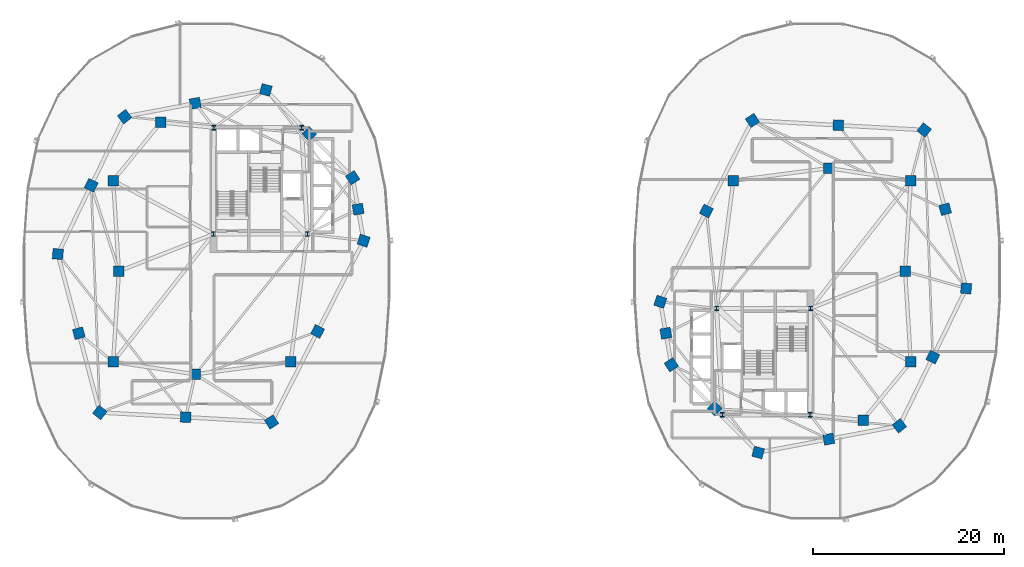
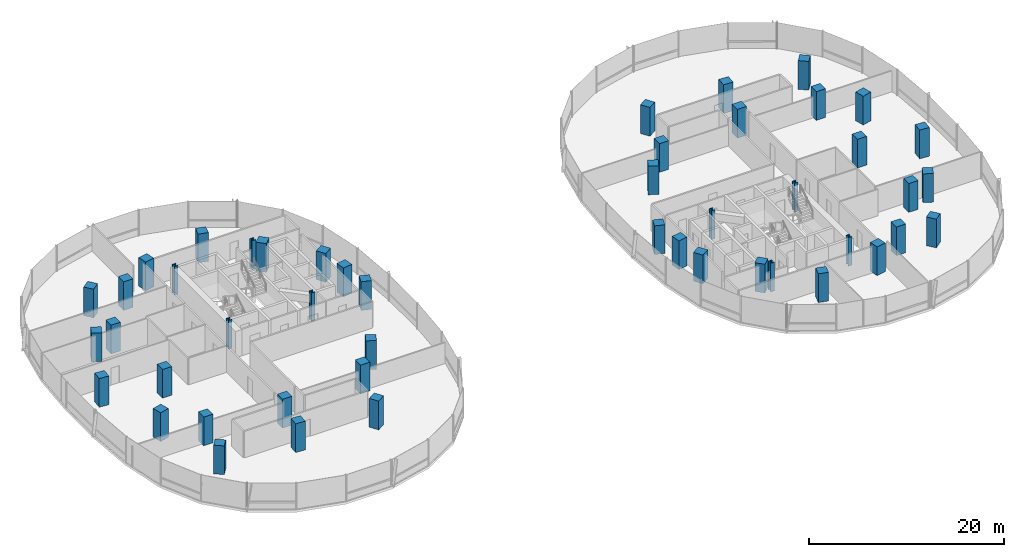
# One storey, part 1 of 21: 48 columns.
"""IFC4 building model written with IfcOpenShell, lengths in metres."""

from ifc_helpers import new_model, si_unit, direction, frame, origin, origin_2d, place, context, subcontext, project, spatial, rectangle, i_section, extrude, material, material_profile, profile_set, type_object, element, save


model = new_model("IFC4")

# Units and contexts
model_context = context("Model", 3, precision=1e-05, world=origin(), true_north=direction((0.0, 1.0)))
body_context = subcontext(model_context, "Body", "Model", "MODEL_VIEW")
ifc_project = project(units=[si_unit("LENGTHUNIT", "METRE"), si_unit("AREAUNIT", "SQUARE_METRE"), si_unit("VOLUMEUNIT", "CUBIC_METRE"), si_unit("PLANEANGLEUNIT", "RADIAN"), si_unit("MASSUNIT", "GRAM", prefix="KILO"), si_unit("THERMODYNAMICTEMPERATUREUNIT", "KELVIN"), si_unit("POWERUNIT", "WATT")], contexts=[model_context])

# Site, building, storey
site_placement = place(None, origin())
site = spatial("IfcSite", under=ifc_project, at=site_placement, CompositionType="ELEMENT")
building_placement = place(site_placement, origin())
building = spatial("IfcBuilding", under=site, at=building_placement, Name="Cundina Bronze Exchange", CompositionType="ELEMENT")
storey_placement = place(building_placement, frame((0.0, 0.0, 110.60009765625)))
storey = spatial("IfcBuildingStorey", under=building, at=storey_placement, Name="L28", CompositionType="ELEMENT", Elevation=110.60009765625)

# Columns
ifc_material_1 = material(Name="Steel ASTM A992 Grade 50", Category="steel")
ifc_material_profile_1 = material_profile(ifc_material_1, i_section(OverallWidth=0.431884765625, OverallDepth=0.498046875, WebThickness=0.0556640625, FlangeThickness=0.0888671875, FilletRadius=0.01806640625, at=origin_2d()), Name="W14X500", Category="steel")
ifc_profile_set_1 = profile_set([ifc_material_profile_1], Name="Steel ASTM A992 Grade 50")
column_type_1 = type_object("IfcColumnType", Name="COL-STL-W14A", PredefinedType="COLUMN", material=ifc_profile_set_1)
for number, where, z_axis, x_axis, name in (
    (1, (-31.300048828125, 3.89990234375, 0.0), (0.0, 0.0, 1.0), (1.0, 0.0, 0.0), "L28 Core Anchor Column W1"),
    (2, (-21.449951171875, 3.89990234375, 0.0), (0.0, 0.0, 1.0), (1.0, 0.0, 0.0), "L28 Core Anchor Column W2"),
    (3, (-22.050048828125, 15.050048828125, 0.0), (0.0, 0.0, 1.0), (1.0, 0.0, 0.0), "L28 Core Anchor Column W3"),
    (4, (-31.25, 15.050048828125, 0.0), (0.0, 0.0, 1.0), (1.0, 0.0, 0.0), "L28 Core Anchor Column W4"),
    (5, (31.300048828125, -3.89990234375, 0.0), (0.0, 0.0, 1.0), (1.0, 0.0, 0.0), "L28 Core Anchor Column E1"),
    (6, (21.449951171875, -3.89990234375, 0.0), (0.0, 0.0, 1.0), (1.0, 0.0, 0.0), "L28 Core Anchor Column E2"),
    (7, (22.050048828125, -15.050048828125, 0.0), (0.0, 0.0, 1.0), (1.0, 0.0, 0.0), "L28 Core Anchor Column E3"),
    (8, (31.25, -15.050048828125, 0.0), (0.0, 0.0, 1.0), (1.0, 0.0, 0.0), "L28 Core Anchor Column E4"),
):
    element("IfcColumn", number, at=place(storey_placement, frame(where, z_axis=z_axis, x_axis=x_axis)), inside=storey, type_object=column_type_1, Name=name, PredefinedType="COLUMN", context=body_context, shape_type="SweptSolid", body=[
        extrude(i_section(OverallWidth=0.431884765625, OverallDepth=0.498046875, WebThickness=0.0556640625, FlangeThickness=0.0888671875, FilletRadius=0.01806640625, at=origin_2d()), origin(), (0.0, 0.0, 1.0), 3.599853515625),
    ])
ifc_material_2 = material(Name="Concrete C60/75", Category="concrete")
ifc_material_profile_2 = material_profile(ifc_material_2, rectangle(XDim=1.10009765625, YDim=1.10009765625, at=origin_2d()), Name="RC1100X1100", Category="concrete")
ifc_profile_set_2 = profile_set([ifc_material_profile_2], Name="Concrete C60/75")
column_type_2 = type_object("IfcColumnType", Name="COL-Z2-1100", PredefinedType="COLUMN", material=ifc_profile_set_2)
for number, where, z_axis, x_axis, name in (
    (9, (-41.199951171875, 0.0, 0.0), (0.0, 0.0, 1.0), (1.0, 0.0, 0.0), "L28 W Inner Ring Column 1"),
    (10, (-41.800048828125, 9.5, 0.0), (0.0, 0.0, 1.0), (1.0, 0.0, 0.0), "L28 W Inner Ring Column 2"),
    (11, (-36.800048828125, 15.60009765625, 0.0), (0.0, 0.0, 1.0), (1.0, 0.0, 0.0), "L28 W Inner Ring Column 3"),
    (12, (-41.800048828125, -9.5, 0.0), (0.0, 0.0, 1.0), (1.0, 0.0, 0.0), "L28 W Inner Ring Column 4"),
    (13, (-33.199951171875, -10.800048828125, 0.0), (0.0, 0.0, 1.0), (1.0, 0.0, 0.0), "L28 W Inner Ring Column 5"),
    (14, (-23.199951171875, -9.5, 0.0), (0.0, 0.0, 1.0), (1.0, 0.0, 0.0), "L28 W Inner Ring Column 6"),
    (15, (41.199951171875, 0.0, 0.0), (0.0, 0.0, 1.0), (1.0, 0.0, 0.0), "L28 E Inner Ring Column 1"),
    (16, (41.800048828125, -9.5, 0.0), (0.0, 0.0, 1.0), (1.0, 0.0, 0.0), "L28 E Inner Ring Column 2"),
    (17, (36.800048828125, -15.60009765625, 0.0), (0.0, 0.0, 1.0), (1.0, 0.0, 0.0), "L28 E Inner Ring Column 3"),
    (18, (41.800048828125, 9.5, 0.0), (0.0, 0.0, 1.0), (1.0, 0.0, 0.0), "L28 E Inner Ring Column 4"),
    (19, (33.199951171875, 10.800048828125, 0.0), (0.0, 0.0, 1.0), (1.0, 0.0, 0.0), "L28 E Inner Ring Column 5"),
    (20, (23.199951171875, 9.5, 0.0), (0.0, 0.0, 1.0), (1.0, 0.0, 0.0), "L28 E Inner Ring Column 6"),
    (21, (-15.550048828125, 3.199951171875, 0.0), (0.0, 0.0, 1.0), (0.315152163383, 0.949041155016, 0.0), "L28 W Perimeter Column 00"),
    (22, (-16.125, 6.5, 0.0), (0.0, 0.0, 1.0), (-0.171585221787, 0.985169280715, 0.0), "L28 W Perimeter Column 01"),
    (23, (-16.699951171875, 9.800048828125, 0.0), (0.0, 0.0, 1.0), (-0.544199833495, 0.838955625301, 0.0), "L28 W Perimeter Column 02"),
    (24, (-21.25, 14.39990234375, 0.0), (0.0, 0.0, 1.0), (-0.703270634186, 0.710922228581, 0.0), "L28 W Perimeter Column 03"),
    (25, (-25.800048828125, 19.0, 0.0), (0.0, 0.0, 1.0), (-0.965970984022, 0.258650455301, 0.0), "L28 W Perimeter Column 04"),
    (26, (-33.199951171875, 17.60009765625, 0.0), (0.0, 0.0, 1.0), (-0.98258037664, -0.185838110843, 0.0), "L28 W Perimeter Column 05"),
    (27, (-40.60009765625, 16.199951171875, 0.0), (0.0, 0.0, 1.0), (-0.785100778485, -0.619368038909, 0.0), "L28 W Perimeter Column 06"),
    (28, (-44.10009765625, 9.0, 0.0), (0.0, 0.0, 1.0), (-0.437115766651, -0.899405251566, 0.0), "L28 W Perimeter Column 07"),
    (29, (-47.60009765625, 1.800048828125, 0.0), (0.0, 0.0, 1.0), (-0.083503921245, -0.996507448611, 0.0), "L28 W Perimeter Column 08"),
    (30, (-45.39990234375, -6.5, 0.0), (0.0, 0.0, 1.0), (0.256289373133, -0.966600102017, 0.0), "L28 W Perimeter Column 09"),
    (31, (-43.199951171875, -14.800048828125, 0.0), (0.0, 0.0, 1.0), (0.786288432137, -0.61785961309, 0.0), "L28 W Perimeter Column 10"),
    (32, (-34.199951171875, -15.300048828125, 0.0), (0.0, 0.0, 1.0), (0.998460188734, -0.055472980025, 0.0), "L28 W Perimeter Column 11"),
    (33, (-25.199951171875, -15.800048828125, 0.0), (0.0, 0.0, 1.0), (0.838099763533, 0.545516989988, 0.0), "L28 W Perimeter Column 12"),
    (34, (-20.375, -6.300048828125, 0.0), (0.0, 0.0, 1.0), (0.452901591366, 0.891560513111, 0.0), "L28 W Perimeter Column 13"),
    (35, (15.550048828125, -3.199951171875, 0.0), (0.0, 0.0, 1.0), (-0.315152163383, -0.949041155016, 0.0), "L28 E Perimeter Column 00"),
    (36, (16.125, -6.5, 0.0), (0.0, 0.0, 1.0), (0.171585221787, -0.985169280715, 0.0), "L28 E Perimeter Column 01"),
    (37, (16.699951171875, -9.800048828125, 0.0), (0.0, 0.0, 1.0), (0.544199833495, -0.838955625301, 0.0), "L28 E Perimeter Column 02"),
    (38, (21.25, -14.39990234375, 0.0), (0.0, 0.0, 1.0), (0.703270634186, -0.710922228581, 0.0), "L28 E Perimeter Column 03"),
    (39, (25.800048828125, -19.0, 0.0), (0.0, 0.0, 1.0), (0.965970984022, -0.258650455301, 0.0), "L28 E Perimeter Column 04"),
    (40, (33.199951171875, -17.60009765625, 0.0), (0.0, 0.0, 1.0), (0.98258037664, 0.185838110843, 0.0), "L28 E Perimeter Column 05"),
    (41, (40.60009765625, -16.199951171875, 0.0), (0.0, 0.0, 1.0), (0.785100778485, 0.619368038909, 0.0), "L28 E Perimeter Column 06"),
    (42, (44.10009765625, -9.0, 0.0), (0.0, 0.0, 1.0), (0.437115766651, 0.899405251566, 0.0), "L28 E Perimeter Column 07"),
    (43, (47.60009765625, -1.800048828125, 0.0), (0.0, 0.0, 1.0), (0.083503921245, 0.996507448611, 0.0), "L28 E Perimeter Column 08"),
    (44, (45.39990234375, 6.5, 0.0), (0.0, 0.0, 1.0), (-0.256289373133, 0.966600102017, 0.0), "L28 E Perimeter Column 09"),
    (45, (43.199951171875, 14.800048828125, 0.0), (0.0, 0.0, 1.0), (-0.786288432137, 0.61785961309, 0.0), "L28 E Perimeter Column 10"),
    (46, (34.199951171875, 15.300048828125, 0.0), (0.0, 0.0, 1.0), (-0.998460188734, 0.055472980025, 0.0), "L28 E Perimeter Column 11"),
    (47, (25.199951171875, 15.800048828125, 0.0), (0.0, 0.0, 1.0), (-0.838099763533, -0.545516989988, 0.0), "L28 E Perimeter Column 12"),
    (48, (20.375, 6.300048828125, 0.0), (0.0, 0.0, 1.0), (-0.452901591366, -0.891560513111, 0.0), "L28 E Perimeter Column 13"),
):
    element("IfcColumn", number, at=place(storey_placement, frame(where, z_axis=z_axis, x_axis=x_axis)), inside=storey, type_object=column_type_2, Name=name, PredefinedType="COLUMN", context=body_context, shape_type="SweptSolid", body=[
        extrude(rectangle(XDim=1.10009765625, YDim=1.10009765625, at=origin_2d()), origin(), (0.0, 0.0, 1.0), 3.599853515625),
    ])

save(model, "model.ifc")
